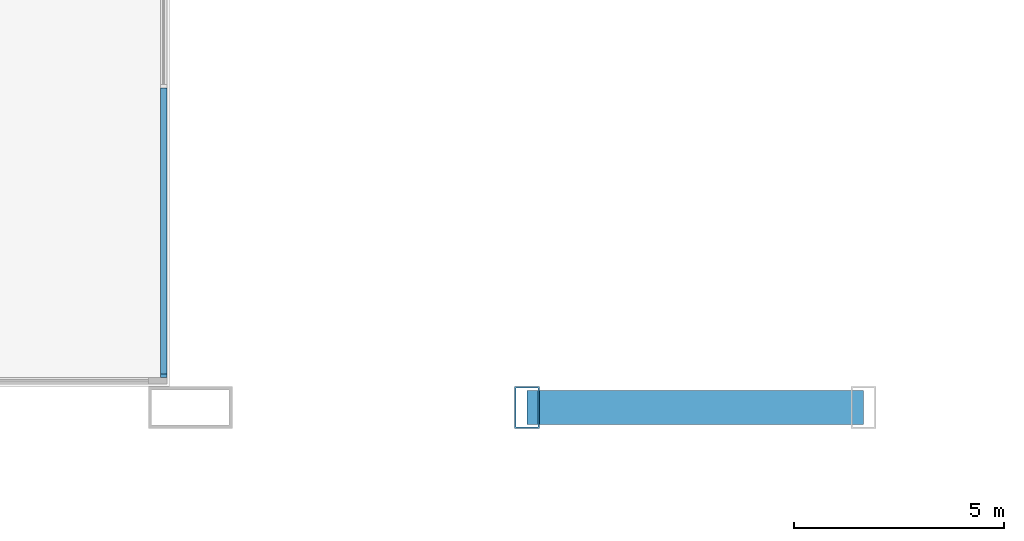
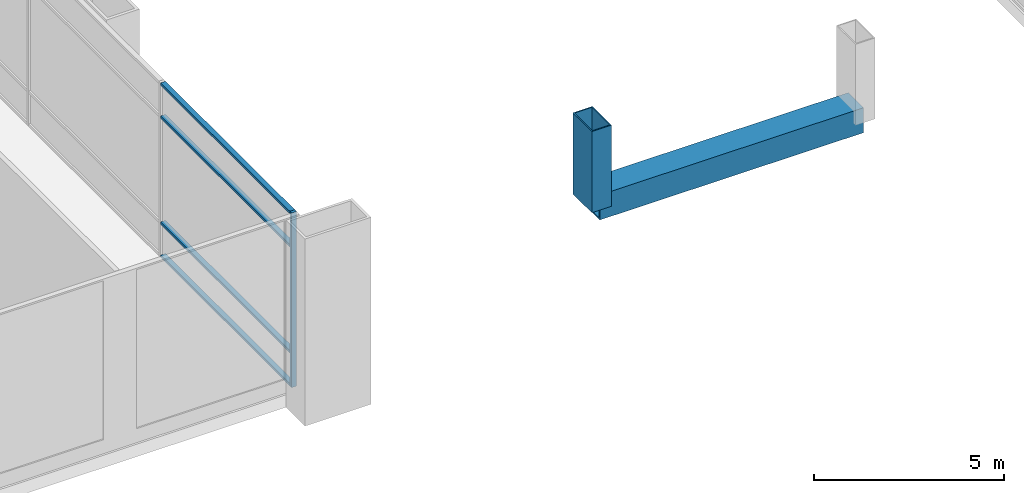
# One storey, part 7 of 25: 7 members, 1 element without a shape of its own.
"""IFC4 building model written with IfcOpenShell, lengths in metres."""

from ifc_helpers import new_model, si_unit, direction, frame, origin, origin_2d, place, context, subcontext, project, spatial, rectangle, hollow_rectangle, extrude, material, material_profile, profile_set, type_object, element, aggregate, save


model = new_model("IFC4")

# Units and contexts
model_context = context("Model", 3, precision=1e-05, world=origin(), true_north=direction((0.0, 1.0)))
body_context = subcontext(model_context, "Body", "Model", "MODEL_VIEW")
ifc_project = project(units=[si_unit("LENGTHUNIT", "METRE"), si_unit("AREAUNIT", "SQUARE_METRE"), si_unit("VOLUMEUNIT", "CUBIC_METRE"), si_unit("PLANEANGLEUNIT", "RADIAN"), si_unit("MASSUNIT", "GRAM", prefix="KILO")], contexts=[model_context])

# Site, building, storey
site_placement = place(None, origin())
site = spatial("IfcSite", under=ifc_project, at=site_placement, CompositionType="ELEMENT")
building_placement = place(site_placement, origin())
building = spatial("IfcBuilding", under=site, at=building_placement, Name="Kitamizu Gate Tower and Museum", CompositionType="ELEMENT")
storey_placement = place(building_placement, frame((0.0, 0.0, 18.0)))
storey = spatial("IfcBuildingStorey", under=building, at=storey_placement, Name="L03", CompositionType="ELEMENT", Elevation=18.0)

# Members
ifc_material_1 = material(Name="Steel SM490A bronze coated", Category="steel")
ifc_material_profile_1 = material_profile(ifc_material_1, hollow_rectangle(XDim=0.800048828125, YDim=0.800048828125, WallThickness=0.050048828125, at=origin_2d()), Name="BOX 800x800x50")
ifc_profile_set_1 = profile_set([ifc_material_profile_1], Name="Steel SM490A bronze coated")
member_type_1 = type_object("IfcMemberType", Name="Arch rib AR1 BOX 800x800x50", PredefinedType="USERDEFINED", material=ifc_profile_set_1)
member_1_placement = place(storey_placement, frame((32.0, 0.0, 3.39990234375), z_axis=(1.0, 0.0, 0.0), x_axis=(0.0, 1.0, 0.0)))
element("IfcMember", 1, at=member_1_placement, inside=storey, type_object=member_type_1, Name="Arch rib crown S", ObjectType="ARCH RIB", PredefinedType="USERDEFINED", context=body_context, shape_type="SweptSolid", body=[
    extrude(hollow_rectangle(XDim=0.800048828125, YDim=0.800048828125, WallThickness=0.050048828125, at=origin_2d()), origin(), (0.0, 0.0, 1.0), 8.0),
])
ifc_material_2 = material(Name="Steel SM490A bronze coated", Category="steel")
ifc_material_profile_2 = material_profile(ifc_material_2, hollow_rectangle(XDim=0.60009765625, YDim=1.0, WallThickness=0.034912109375, at=origin_2d()), Name="BOX 600x1000x35")
ifc_profile_set_2 = profile_set([ifc_material_profile_2], Name="Steel SM490A bronze coated")
member_type_2 = type_object("IfcMemberType", Name="Arch rib tie post AP1 BOX 600x1000x35", PredefinedType="USERDEFINED", material=ifc_profile_set_2)
member_2_placement = place(storey_placement, frame((32.0, 0.0, 3.39990234375), z_axis=(0.0, 0.0, 1.0), x_axis=(1.0, 0.0, 0.0)))
element("IfcMember", 2, at=member_2_placement, inside=storey, type_object=member_type_2, Name="Arch rib tie post SW-4", ObjectType="ARCH POST", PredefinedType="USERDEFINED", context=body_context, shape_type="SweptSolid", body=[
    extrude(hollow_rectangle(XDim=0.60009765625, YDim=1.0, WallThickness=0.034912109375, at=origin_2d()), origin(), (0.0, 0.0, 1.0), 2.60009765625),
])

# Curtain wall, members
ifc_material_3 = material(Name="Bronze anodised aluminium frame, tinted triple glazing", Category="aluminium")
curtain_wall_type = type_object("IfcCurtainWallType", Name="CURTAIN WALL TYPE A PODIUM", PredefinedType="NOTDEFINED", material=ifc_material_3)
curtain_wall_placement = place(storey_placement, origin())
curtain_wall = element("IfcCurtainWall", 3, at=curtain_wall_placement, inside=storey, type_object=curtain_wall_type, Name="Curtain wall CW-A east L03", PredefinedType="NOTDEFINED")
ifc_material_4 = material(Name="Bronze anodised aluminium", Category="aluminium")
ifc_material_profile_3 = material_profile(ifc_material_4, rectangle(XDim=0.090087890625, YDim=0.14990234375, at=origin_2d()), Name="AL 90X150")
ifc_profile_set_3 = profile_set([ifc_material_profile_3], Name="Bronze anodised aluminium")
member_type_3 = type_object("IfcMemberType", Name="MULLION 90 X 150 TYPE A", PredefinedType="MULLION", material=ifc_profile_set_3)
member_3_placement = place(storey_placement, frame((23.364990234375, 0.7548828125, 0.0), z_axis=(0.0, 0.0, 1.0), x_axis=(0.0, 1.0, 0.0)))
member_3 = element("IfcMember", 4, at=member_3_placement, type_object=member_type_3, Name="CW-A mullion 1", PredefinedType="MULLION", context=body_context, shape_type="SweptSolid", body=[
    extrude(rectangle(XDim=0.090087890625, YDim=0.14990234375, at=origin_2d()), origin(), (0.0, 0.0, 1.0), 5.60009765625),
])
ifc_material_5 = material(Name="Bronze anodised aluminium", Category="aluminium")
ifc_material_profile_4 = material_profile(ifc_material_5, rectangle(XDim=0.14990234375, YDim=0.080078125, at=origin_2d()), Name="AL 80X150")
ifc_profile_set_4 = profile_set([ifc_material_profile_4], Name="Bronze anodised aluminium")
member_type_4 = type_object("IfcMemberType", Name="TRANSOM 80 X 150 TYPE A", PredefinedType="USERDEFINED", material=ifc_profile_set_4)
member_4_placement = place(storey_placement, frame((23.364990234375, 0.800048828125, 0.0400390625), z_axis=(0.0, 1.0, 0.0), x_axis=(-1.0, 0.0, 0.0)))
member_4 = element("IfcMember", 5, at=member_4_placement, type_object=member_type_4, Name="CW-A transom 1.1", ObjectType="TRANSOM", PredefinedType="USERDEFINED", context=body_context, shape_type="SweptSolid", body=[
    extrude(rectangle(XDim=0.14990234375, YDim=0.080078125, at=origin_2d()), origin(), (0.0, 0.0, 1.0), 6.794921875),
])
member_5_placement = place(storey_placement, frame((23.364990234375, 0.800048828125, 1.10009765625), z_axis=(0.0, 1.0, 0.0), x_axis=(-1.0, 0.0, 0.0)))
member_5 = element("IfcMember", 6, at=member_5_placement, type_object=member_type_4, Name="CW-A transom 1.2", ObjectType="TRANSOM", PredefinedType="USERDEFINED", context=body_context, shape_type="SweptSolid", body=[
    extrude(rectangle(XDim=0.14990234375, YDim=0.080078125, at=origin_2d()), origin(), (0.0, 0.0, 1.0), 6.794921875),
])
member_6_placement = place(storey_placement, frame((23.364990234375, 0.800048828125, 4.5), z_axis=(0.0, 1.0, 0.0), x_axis=(-1.0, 0.0, 0.0)))
member_6 = element("IfcMember", 7, at=member_6_placement, type_object=member_type_4, Name="CW-A transom 1.3", ObjectType="TRANSOM", PredefinedType="USERDEFINED", context=body_context, shape_type="SweptSolid", body=[
    extrude(rectangle(XDim=0.14990234375, YDim=0.080078125, at=origin_2d()), origin(), (0.0, 0.0, 1.0), 6.794921875),
])
member_7_placement = place(storey_placement, frame((23.364990234375, 0.800048828125, 5.56005859375), z_axis=(0.0, 1.0, 0.0), x_axis=(-1.0, 0.0, 0.0)))
member_7 = element("IfcMember", 8, at=member_7_placement, type_object=member_type_4, Name="CW-A transom 1.4", ObjectType="TRANSOM", PredefinedType="USERDEFINED", context=body_context, shape_type="SweptSolid", body=[
    extrude(rectangle(XDim=0.14990234375, YDim=0.080078125, at=origin_2d()), origin(), (0.0, 0.0, 1.0), 6.794921875),
])
aggregate(curtain_wall, [member_3, member_4, member_5, member_6, member_7])

save(model, "model.ifc")
